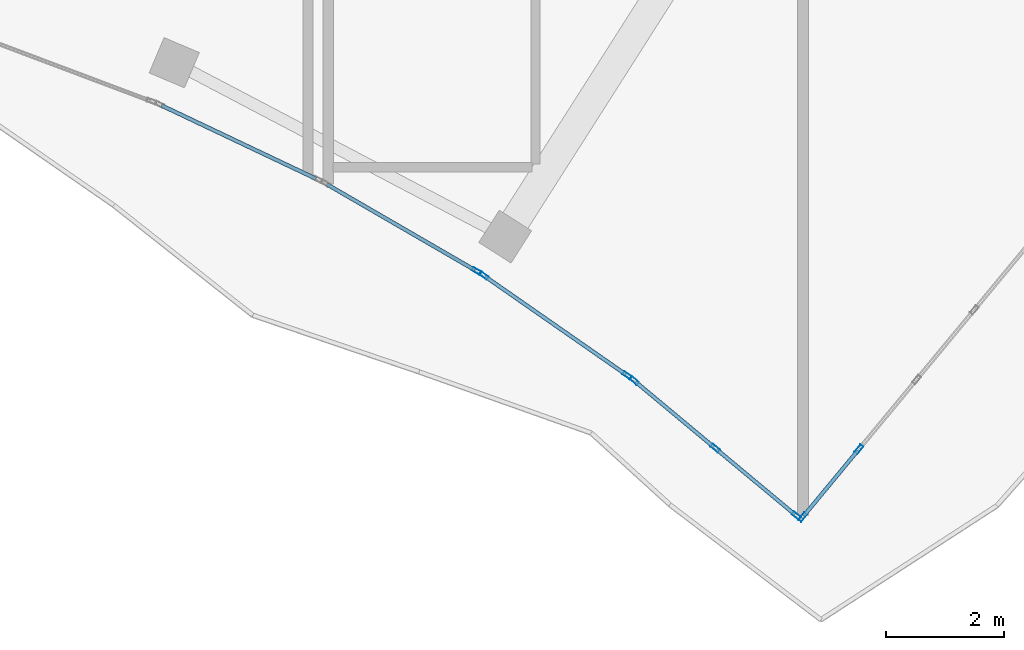
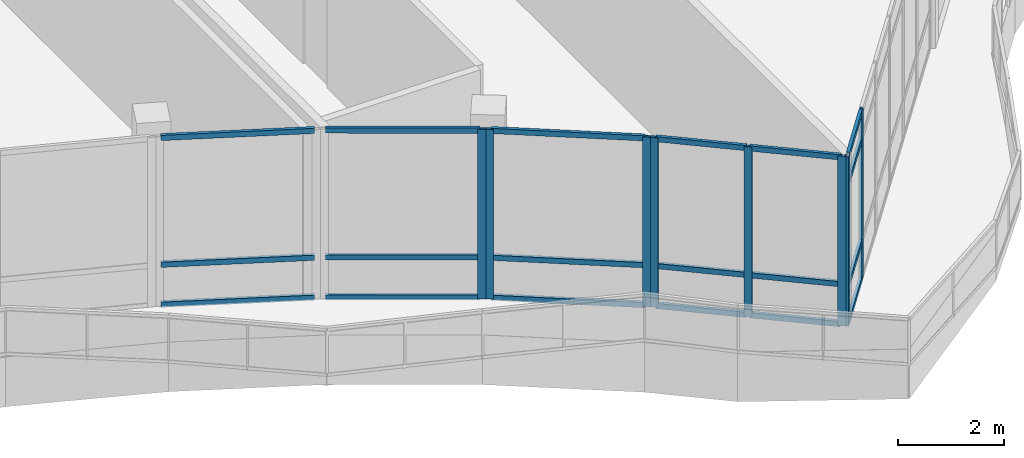
# One storey, part 123 of 184: 27 members, 5 elements without a shape of their own.
"""IFC4 building model written with IfcOpenShell, lengths in metres."""

from ifc_helpers import new_model, si_unit, direction, frame, origin, origin_2d, place, context, subcontext, project, spatial, hollow_rectangle, extrude, material, material_profile, profile_set, type_object, element, aggregate, save


model = new_model("IFC4")

# Units and contexts
model_context = context("Model", 3, precision=1e-05, world=origin(), true_north=direction((0.0, 1.0)))
body_context = subcontext(model_context, "Body", "Model", "MODEL_VIEW")
ifc_project = project(units=[si_unit("LENGTHUNIT", "METRE"), si_unit("AREAUNIT", "SQUARE_METRE"), si_unit("VOLUMEUNIT", "CUBIC_METRE"), si_unit("PLANEANGLEUNIT", "RADIAN"), si_unit("MASSUNIT", "GRAM", prefix="KILO")], contexts=[model_context])

# Site, building, storey
site_placement = place(None, origin())
site = spatial("IfcSite", under=ifc_project, at=site_placement, CompositionType="ELEMENT")
building_placement = place(site_placement, origin())
building = spatial("IfcBuilding", under=site, at=building_placement, Name="Selatvlak General Hospital", CompositionType="ELEMENT")
storey_placement = place(building_placement, frame((0.0, 0.0, 15.0)))
storey = spatial("IfcBuildingStorey", under=building, at=storey_placement, Name="L03", CompositionType="ELEMENT", Elevation=15.0)

# Curtain wall, members
ifc_material_1 = material(Name="Solar-control Low-E double glazing", Category="glass")
curtain_wall_type_1 = type_object("IfcCurtainWallType", Name="CW-CW-01", PredefinedType="USERDEFINED", material=ifc_material_1)
curtain_wall_1_placement = place(storey_placement, origin())
curtain_wall_1 = element("IfcCurtainWall", 1, at=curtain_wall_1_placement, inside=storey, type_object=curtain_wall_type_1, Name="Glazed facade curtain wall CW-L03-0395", ObjectType="UNITISED CURTAIN WALL", PredefinedType="USERDEFINED")
ifc_material_2 = material(Name="Dark anodised aluminium mullion", Category="aluminium")
ifc_material_profile_1 = material_profile(ifc_material_2, hollow_rectangle(XDim=0.06494140625, YDim=0.159912109375, WallThickness=0.00390625, at=origin_2d()), Name="AL-MUL 65x160x4")
ifc_profile_set_1 = profile_set([ifc_material_profile_1], Name="Dark anodised aluminium mullion")
member_type_1 = type_object("IfcMemberType", Name="CWM-01", PredefinedType="MULLION", material=ifc_profile_set_1)
member_1_placement = place(storey_placement, frame((166.550537109375, 45.15576171875, 0.0), z_axis=(0.0, 0.0, 1.0), x_axis=(0.770267232802, -0.637721247938, 0.0)))
member_1 = element("IfcMember", 2, at=member_1_placement, type_object=member_type_1, Name="CW-01 mullion 6", PredefinedType="MULLION", context=body_context, shape_type="SweptSolid", body=[
    extrude(hollow_rectangle(XDim=0.06494140625, YDim=0.159912109375, WallThickness=0.00390625, at=origin_2d()), origin(), (0.0, 0.0, 1.0), 3.89501953125),
])
member_2_placement = place(storey_placement, frame((165.59375, 44.0, 0.0), z_axis=(0.0, 0.0, 1.0), x_axis=(0.770267232802, -0.637721247938, 0.0)))
member_2 = element("IfcMember", 3, at=member_2_placement, type_object=member_type_1, Name="CW-01 mullion 7", PredefinedType="MULLION", context=body_context, shape_type="SweptSolid", body=[
    extrude(hollow_rectangle(XDim=0.06494140625, YDim=0.159912109375, WallThickness=0.00390625, at=origin_2d()), origin(), (0.0, 0.0, 1.0), 3.89501953125),
])

curtain_wall_type_2 = type_object("IfcCurtainWallType", Name="CW-CW-02", PredefinedType="USERDEFINED", material=ifc_material_1)
curtain_wall_2_placement = place(storey_placement, origin())
curtain_wall_2 = element("IfcCurtainWall", 4, at=curtain_wall_2_placement, inside=storey, type_object=curtain_wall_type_2, Name="Glazed facade curtain wall CW-L03-0396", ObjectType="UNITISED CURTAIN WALL", PredefinedType="USERDEFINED")
member_3_placement = place(storey_placement, frame((165.488037109375, 44.02587890625, 0.0), z_axis=(0.0, 0.0, 1.0), x_axis=(-0.640076587964, -0.768311109864, 0.0)))
member_3 = element("IfcMember", 5, at=member_3_placement, type_object=member_type_1, Name="CW-02 mullion 1", PredefinedType="MULLION", context=body_context, shape_type="SweptSolid", body=[
    extrude(hollow_rectangle(XDim=0.06494140625, YDim=0.159912109375, WallThickness=0.00390625, at=origin_2d()), origin(), (0.0, 0.0, 1.0), 3.89501953125),
])
member_4_placement = place(storey_placement, frame((164.111083984375, 45.173095703125, 0.0), z_axis=(0.0, 0.0, 1.0), x_axis=(-0.640076587964, -0.768311109864, 0.0)))
member_4 = element("IfcMember", 6, at=member_4_placement, type_object=member_type_1, Name="CW-02 mullion 2", PredefinedType="MULLION", context=body_context, shape_type="SweptSolid", body=[
    extrude(hollow_rectangle(XDim=0.06494140625, YDim=0.159912109375, WallThickness=0.00390625, at=origin_2d()), origin(), (0.0, 0.0, 1.0), 3.89501953125),
])
member_5_placement = place(storey_placement, frame((162.73388671875, 46.3203125, 0.0), z_axis=(0.0, 0.0, 1.0), x_axis=(-0.640076587964, -0.768311109864, 0.0)))
member_5 = element("IfcMember", 7, at=member_5_placement, type_object=member_type_1, Name="CW-02 mullion 3", PredefinedType="MULLION", context=body_context, shape_type="SweptSolid", body=[
    extrude(hollow_rectangle(XDim=0.06494140625, YDim=0.159912109375, WallThickness=0.00390625, at=origin_2d()), origin(), (0.0, 0.0, 1.0), 3.89501953125),
])

curtain_wall_3_placement = place(storey_placement, origin())
curtain_wall_3 = element("IfcCurtainWall", 8, at=curtain_wall_3_placement, inside=storey, type_object=curtain_wall_type_1, Name="Glazed facade curtain wall CW-L03-0397", ObjectType="UNITISED CURTAIN WALL", PredefinedType="USERDEFINED")
member_6_placement = place(storey_placement, frame((162.617431640625, 46.407470703125, 0.0), z_axis=(0.0, 0.0, 1.0), x_axis=(-0.571335076749, -0.82071690008, 0.0)))
member_6 = element("IfcMember", 9, at=member_6_placement, type_object=member_type_1, Name="CW-01 mullion 1", PredefinedType="MULLION", context=body_context, shape_type="SweptSolid", body=[
    extrude(hollow_rectangle(XDim=0.06494140625, YDim=0.159912109375, WallThickness=0.00390625, at=origin_2d()), origin(), (0.0, 0.0, 1.0), 3.89501953125),
])
member_7_placement = place(storey_placement, frame((160.1826171875, 48.1025390625, 0.0), z_axis=(0.0, 0.0, 1.0), x_axis=(-0.571335076749, -0.82071690008, 0.0)))
member_7 = element("IfcMember", 10, at=member_7_placement, type_object=member_type_1, Name="CW-01 mullion 2", PredefinedType="MULLION", context=body_context, shape_type="SweptSolid", body=[
    extrude(hollow_rectangle(XDim=0.06494140625, YDim=0.159912109375, WallThickness=0.00390625, at=origin_2d()), origin(), (0.0, 0.0, 1.0), 3.89501953125),
])

# Curtain wall, member
curtain_wall_4_placement = place(storey_placement, origin())
curtain_wall_4 = element("IfcCurtainWall", 11, at=curtain_wall_4_placement, inside=storey, type_object=curtain_wall_type_2, Name="Glazed facade curtain wall CW-L03-0398", ObjectType="UNITISED CURTAIN WALL", PredefinedType="USERDEFINED")
member_8_placement = place(storey_placement, frame((160.059814453125, 48.17919921875, 0.0), z_axis=(0.0, 0.0, 1.0), x_axis=(-0.501491093657, -0.865162807212, 0.0)))
member_8 = element("IfcMember", 12, at=member_8_placement, type_object=member_type_1, Name="CW-02 mullion 1", PredefinedType="MULLION", context=body_context, shape_type="SweptSolid", body=[
    extrude(hollow_rectangle(XDim=0.06494140625, YDim=0.159912109375, WallThickness=0.00390625, at=origin_2d()), origin(), (0.0, 0.0, 1.0), 3.89501953125),
])

# Member
ifc_material_profile_2 = material_profile(ifc_material_2, hollow_rectangle(XDim=0.06494140625, YDim=0.1201171875, WallThickness=0.00390625, at=origin_2d()), Name="AL-TRN 65x120x4")
ifc_profile_set_2 = profile_set([ifc_material_profile_2], Name="Dark anodised aluminium mullion")
member_type_2 = type_object("IfcMemberType", Name="CWT-01", PredefinedType="USERDEFINED", material=ifc_profile_set_2)
member_9_placement = place(storey_placement, frame((166.52978515625, 45.130615234375, 0.032470703125), z_axis=(-0.637738287504, -0.770253125051, 0.0), x_axis=(0.770253125051, -0.637738287504, 0.0)))
member_9 = element("IfcMember", 13, at=member_9_placement, type_object=member_type_2, Name="CW-01 transom 6.1", ObjectType="TRANSOM", PredefinedType="USERDEFINED", context=body_context, shape_type="SweptSolid", body=[
    extrude(hollow_rectangle(XDim=0.06494140625, YDim=0.1201171875, WallThickness=0.00390625, at=origin_2d()), origin(), (0.0, 0.0, 1.0), 1.435302734375),
])

member_10_placement = place(storey_placement, frame((166.52978515625, 45.130615234375, 0.89990234375), z_axis=(-0.637738287504, -0.770253125051, 0.0), x_axis=(0.770253125051, -0.637738287504, 0.0)))
member_10 = element("IfcMember", 14, at=member_10_placement, type_object=member_type_2, Name="CW-01 transom 6.2", ObjectType="TRANSOM", PredefinedType="USERDEFINED", context=body_context, shape_type="SweptSolid", body=[
    extrude(hollow_rectangle(XDim=0.06494140625, YDim=0.1201171875, WallThickness=0.00390625, at=origin_2d()), origin(), (0.0, 0.0, 1.0), 1.435302734375),
])

member_11_placement = place(storey_placement, frame((166.52978515625, 45.130615234375, 3.2451171875), z_axis=(-0.637738287504, -0.770253125051, 0.0), x_axis=(0.770253125051, -0.637738287504, 0.0)))
member_11 = element("IfcMember", 15, at=member_11_placement, type_object=member_type_2, Name="CW-01 transom 6.3", ObjectType="TRANSOM", PredefinedType="USERDEFINED", context=body_context, shape_type="SweptSolid", body=[
    extrude(hollow_rectangle(XDim=0.06494140625, YDim=0.1201171875, WallThickness=0.00390625, at=origin_2d()), origin(), (0.0, 0.0, 1.0), 1.435302734375),
])

member_12_placement = place(storey_placement, frame((166.52978515625, 45.130615234375, 3.862548828125), z_axis=(-0.637738287504, -0.770253125051, 0.0), x_axis=(0.770253125051, -0.637738287504, 0.0)))
member_12 = element("IfcMember", 16, at=member_12_placement, type_object=member_type_2, Name="CW-01 transom 6.4", ObjectType="TRANSOM", PredefinedType="USERDEFINED", context=body_context, shape_type="SweptSolid", body=[
    extrude(hollow_rectangle(XDim=0.06494140625, YDim=0.1201171875, WallThickness=0.00390625, at=origin_2d()), origin(), (0.0, 0.0, 1.0), 1.435302734375),
])

aggregate(curtain_wall_1, [member_1, member_2, member_9, member_10, member_11, member_12])

member_13_placement = place(storey_placement, frame((165.463134765625, 44.046630859375, 0.032470703125), z_axis=(-0.768360290955, 0.640017549199, 0.0), x_axis=(-0.640017549199, -0.768360290955, 0.0)))
member_13 = element("IfcMember", 17, at=member_13_placement, type_object=member_type_2, Name="CW-02 transom 1.1", ObjectType="TRANSOM", PredefinedType="USERDEFINED", context=body_context, shape_type="SweptSolid", body=[
    extrude(hollow_rectangle(XDim=0.06494140625, YDim=0.1201171875, WallThickness=0.00390625, at=origin_2d()), origin(), (0.0, 0.0, 1.0), 1.727294921875),
])

member_14_placement = place(storey_placement, frame((165.463134765625, 44.046630859375, 0.949951171875), z_axis=(-0.768360290955, 0.640017549199, 0.0), x_axis=(-0.640017549199, -0.768360290955, 0.0)))
member_14 = element("IfcMember", 18, at=member_14_placement, type_object=member_type_2, Name="CW-02 transom 1.2", ObjectType="TRANSOM", PredefinedType="USERDEFINED", context=body_context, shape_type="SweptSolid", body=[
    extrude(hollow_rectangle(XDim=0.06494140625, YDim=0.1201171875, WallThickness=0.00390625, at=origin_2d()), origin(), (0.0, 0.0, 1.0), 1.727294921875),
])

member_15_placement = place(storey_placement, frame((165.463134765625, 44.046630859375, 3.862548828125), z_axis=(-0.768360290955, 0.640017549199, 0.0), x_axis=(-0.640017549199, -0.768360290955, 0.0)))
member_15 = element("IfcMember", 19, at=member_15_placement, type_object=member_type_2, Name="CW-02 transom 1.3", ObjectType="TRANSOM", PredefinedType="USERDEFINED", context=body_context, shape_type="SweptSolid", body=[
    extrude(hollow_rectangle(XDim=0.06494140625, YDim=0.1201171875, WallThickness=0.00390625, at=origin_2d()), origin(), (0.0, 0.0, 1.0), 1.727294921875),
])

member_16_placement = place(storey_placement, frame((164.0859375, 45.19384765625, 0.032470703125), z_axis=(-0.768302382767, 0.640087063324, 0.0), x_axis=(-0.640087063324, -0.768302382767, 0.0)))
member_16 = element("IfcMember", 20, at=member_16_placement, type_object=member_type_2, Name="CW-02 transom 2.1", ObjectType="TRANSOM", PredefinedType="USERDEFINED", context=body_context, shape_type="SweptSolid", body=[
    extrude(hollow_rectangle(XDim=0.06494140625, YDim=0.1201171875, WallThickness=0.00390625, at=origin_2d()), origin(), (0.0, 0.0, 1.0), 1.72705078125),
])

member_17_placement = place(storey_placement, frame((164.0859375, 45.19384765625, 0.949951171875), z_axis=(-0.768302382767, 0.640087063324, 0.0), x_axis=(-0.640087063324, -0.768302382767, 0.0)))
member_17 = element("IfcMember", 21, at=member_17_placement, type_object=member_type_2, Name="CW-02 transom 2.2", ObjectType="TRANSOM", PredefinedType="USERDEFINED", context=body_context, shape_type="SweptSolid", body=[
    extrude(hollow_rectangle(XDim=0.06494140625, YDim=0.1201171875, WallThickness=0.00390625, at=origin_2d()), origin(), (0.0, 0.0, 1.0), 1.72705078125),
])

member_18_placement = place(storey_placement, frame((164.0859375, 45.19384765625, 3.862548828125), z_axis=(-0.768302382767, 0.640087063324, 0.0), x_axis=(-0.640087063324, -0.768302382767, 0.0)))
member_18 = element("IfcMember", 22, at=member_18_placement, type_object=member_type_2, Name="CW-02 transom 2.3", ObjectType="TRANSOM", PredefinedType="USERDEFINED", context=body_context, shape_type="SweptSolid", body=[
    extrude(hollow_rectangle(XDim=0.06494140625, YDim=0.1201171875, WallThickness=0.00390625, at=origin_2d()), origin(), (0.0, 0.0, 1.0), 1.72705078125),
])

aggregate(curtain_wall_2, [member_3, member_4, member_5, member_13, member_14, member_15, member_16, member_17, member_18])

member_19_placement = place(storey_placement, frame((162.590576171875, 46.426025390625, 0.032470703125), z_axis=(-0.820683915696, 0.571382455556, 0.0), x_axis=(-0.571382455556, -0.820683915696, 0.0)))
member_19 = element("IfcMember", 23, at=member_19_placement, type_object=member_type_2, Name="CW-01 transom 1.1", ObjectType="TRANSOM", PredefinedType="USERDEFINED", context=body_context, shape_type="SweptSolid", body=[
    extrude(hollow_rectangle(XDim=0.06494140625, YDim=0.1201171875, WallThickness=0.00390625, at=origin_2d()), origin(), (0.0, 0.0, 1.0), 2.901611328125),
])

member_20_placement = place(storey_placement, frame((162.590576171875, 46.426025390625, 0.949951171875), z_axis=(-0.820683915696, 0.571382455556, 0.0), x_axis=(-0.571382455556, -0.820683915696, 0.0)))
member_20 = element("IfcMember", 24, at=member_20_placement, type_object=member_type_2, Name="CW-01 transom 1.2", ObjectType="TRANSOM", PredefinedType="USERDEFINED", context=body_context, shape_type="SweptSolid", body=[
    extrude(hollow_rectangle(XDim=0.06494140625, YDim=0.1201171875, WallThickness=0.00390625, at=origin_2d()), origin(), (0.0, 0.0, 1.0), 2.901611328125),
])

member_21_placement = place(storey_placement, frame((162.590576171875, 46.426025390625, 3.862548828125), z_axis=(-0.820683915696, 0.571382455556, 0.0), x_axis=(-0.571382455556, -0.820683915696, 0.0)))
member_21 = element("IfcMember", 25, at=member_21_placement, type_object=member_type_2, Name="CW-01 transom 1.3", ObjectType="TRANSOM", PredefinedType="USERDEFINED", context=body_context, shape_type="SweptSolid", body=[
    extrude(hollow_rectangle(XDim=0.06494140625, YDim=0.1201171875, WallThickness=0.00390625, at=origin_2d()), origin(), (0.0, 0.0, 1.0), 2.901611328125),
])

aggregate(curtain_wall_3, [member_6, member_7, member_19, member_20, member_21])

member_22_placement = place(storey_placement, frame((160.03173828125, 48.195556640625, 0.032470703125), z_axis=(-0.865157453333, 0.501500329953, 0.0), x_axis=(-0.501500329953, -0.865157453333, 0.0)))
member_22 = element("IfcMember", 26, at=member_22_placement, type_object=member_type_2, Name="CW-02 transom 1.1", ObjectType="TRANSOM", PredefinedType="USERDEFINED", context=body_context, shape_type="SweptSolid", body=[
    extrude(hollow_rectangle(XDim=0.06494140625, YDim=0.1201171875, WallThickness=0.00390625, at=origin_2d()), origin(), (0.0, 0.0, 1.0), 2.90283203125),
])

member_23_placement = place(storey_placement, frame((160.03173828125, 48.195556640625, 0.949951171875), z_axis=(-0.865157453333, 0.501500329953, 0.0), x_axis=(-0.501500329953, -0.865157453333, 0.0)))
member_23 = element("IfcMember", 27, at=member_23_placement, type_object=member_type_2, Name="CW-02 transom 1.2", ObjectType="TRANSOM", PredefinedType="USERDEFINED", context=body_context, shape_type="SweptSolid", body=[
    extrude(hollow_rectangle(XDim=0.06494140625, YDim=0.1201171875, WallThickness=0.00390625, at=origin_2d()), origin(), (0.0, 0.0, 1.0), 2.90283203125),
])

member_24_placement = place(storey_placement, frame((160.03173828125, 48.195556640625, 3.862548828125), z_axis=(-0.865157453333, 0.501500329953, 0.0), x_axis=(-0.501500329953, -0.865157453333, 0.0)))
member_24 = element("IfcMember", 28, at=member_24_placement, type_object=member_type_2, Name="CW-02 transom 1.3", ObjectType="TRANSOM", PredefinedType="USERDEFINED", context=body_context, shape_type="SweptSolid", body=[
    extrude(hollow_rectangle(XDim=0.06494140625, YDim=0.1201171875, WallThickness=0.00390625, at=origin_2d()), origin(), (0.0, 0.0, 1.0), 2.90283203125),
])

aggregate(curtain_wall_4, [member_8, member_22, member_23, member_24])

# Curtain wall, members
curtain_wall_5_placement = place(storey_placement, origin())
curtain_wall_5 = element("IfcCurtainWall", 29, at=curtain_wall_5_placement, inside=storey, type_object=curtain_wall_type_1, Name="Glazed facade curtain wall CW-L03-0399", ObjectType="UNITISED CURTAIN WALL", PredefinedType="USERDEFINED")
member_25_placement = place(storey_placement, frame((157.333251953125, 49.746826171875, 0.032470703125), z_axis=(-0.903516867621, 0.42855252878, 0.0), x_axis=(-0.42855252878, -0.903516867621, 0.0)))
member_25 = element("IfcMember", 30, at=member_25_placement, type_object=member_type_2, Name="CW-01 transom 1.1", ObjectType="TRANSOM", PredefinedType="USERDEFINED", context=body_context, shape_type="SweptSolid", body=[
    extrude(hollow_rectangle(XDim=0.06494140625, YDim=0.1201171875, WallThickness=0.00390625, at=origin_2d()), origin(), (0.0, 0.0, 1.0), 2.90380859375),
])
member_26_placement = place(storey_placement, frame((157.333251953125, 49.746826171875, 0.949951171875), z_axis=(-0.903516867621, 0.42855252878, 0.0), x_axis=(-0.42855252878, -0.903516867621, 0.0)))
member_26 = element("IfcMember", 31, at=member_26_placement, type_object=member_type_2, Name="CW-01 transom 1.2", ObjectType="TRANSOM", PredefinedType="USERDEFINED", context=body_context, shape_type="SweptSolid", body=[
    extrude(hollow_rectangle(XDim=0.06494140625, YDim=0.1201171875, WallThickness=0.00390625, at=origin_2d()), origin(), (0.0, 0.0, 1.0), 2.90380859375),
])
member_27_placement = place(storey_placement, frame((157.333251953125, 49.746826171875, 3.862548828125), z_axis=(-0.903516867621, 0.42855252878, 0.0), x_axis=(-0.42855252878, -0.903516867621, 0.0)))
member_27 = element("IfcMember", 32, at=member_27_placement, type_object=member_type_2, Name="CW-01 transom 1.3", ObjectType="TRANSOM", PredefinedType="USERDEFINED", context=body_context, shape_type="SweptSolid", body=[
    extrude(hollow_rectangle(XDim=0.06494140625, YDim=0.1201171875, WallThickness=0.00390625, at=origin_2d()), origin(), (0.0, 0.0, 1.0), 2.90380859375),
])
aggregate(curtain_wall_5, [member_25, member_26, member_27])

save(model, "model.ifc")
